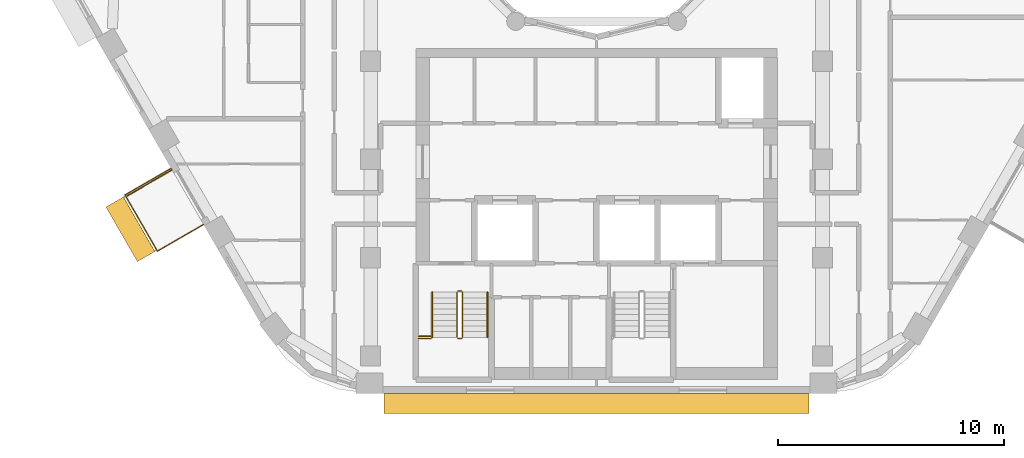
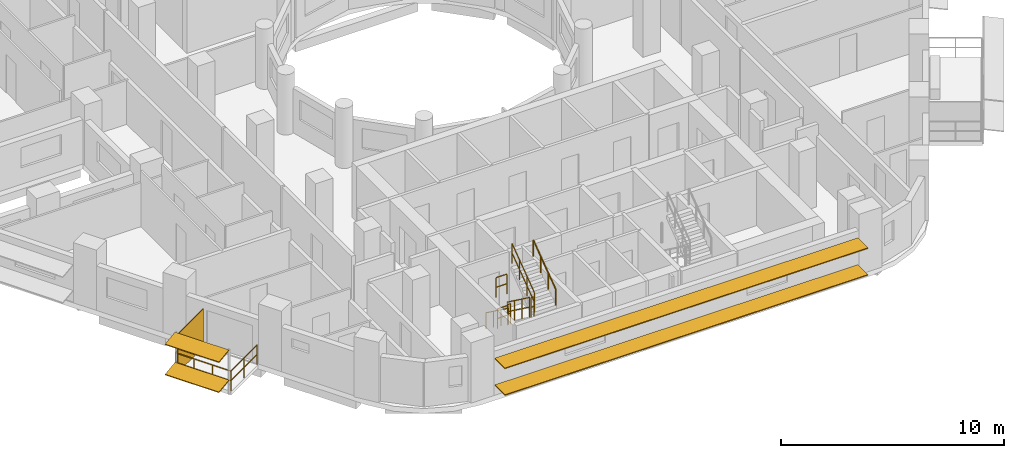
# One storey, part 14 of 17: 9 railings, 5 shading devices.
"""IFC4 building model written with IfcOpenShell, lengths in metres."""

from ifc_helpers import new_model, si_unit, direction, frame, origin, origin_2d, place, context, subcontext, project, spatial, rectangle, circle, extrude, material, layer, layer_set, material_profile, profile_set, type_object, element, save


model = new_model("IFC4")

# Units and contexts
model_context = context("Model", 3, precision=1e-05, world=origin(), true_north=direction((0.0, 1.0)))
body_context = subcontext(model_context, "Body", "Model", "MODEL_VIEW")
ifc_project = project(units=[si_unit("LENGTHUNIT", "METRE"), si_unit("AREAUNIT", "SQUARE_METRE"), si_unit("VOLUMEUNIT", "CUBIC_METRE"), si_unit("PLANEANGLEUNIT", "RADIAN"), si_unit("MASSUNIT", "GRAM", prefix="KILO")], contexts=[model_context])

# Site, building, storey
site_placement = place(None, origin())
site = spatial("IfcSite", under=ifc_project, at=site_placement, CompositionType="ELEMENT")
building_placement = place(site_placement, origin())
building = spatial("IfcBuilding", under=site, at=building_placement, Name="Nakaniwa Court", CompositionType="ELEMENT")
storey_placement = place(building_placement, frame((0.0, 0.0, 206.39990234375)))
storey = spatial("IfcBuildingStorey", under=building, at=storey_placement, Name="L54", CompositionType="ELEMENT", Elevation=206.39990234375)

# Railing
ifc_material_1 = material(Name="Black powder-coated steel flat bar balustrade S275", Category="steel")
railing_type_1 = type_object("IfcRailingType", Name="Black metal balcony guard 1100", PredefinedType="GUARDRAIL", material=ifc_material_1)
railing_1_placement = place(storey_placement, frame((61.17529296875, 67.305419921875, -0.0498046875)))
element("IfcRailing", 1, at=railing_1_placement, inside=storey, type_object=railing_type_1, Name="L54 balcony guard 02", PredefinedType="GUARDRAIL", context=body_context, shape_type="SweptSolid", body=[
    extrude(circle(Radius=0.02392578125, at=origin_2d()), frame((0.0, 0.0, 1.076171875), z_axis=(-0.866025363618, -0.50000006957, 0.0), x_axis=(0.50000006957, -0.866025363618, 0.0)), (0.0, 0.0, 1.0), 2.35986328125),
    extrude(circle(Radius=0.02392578125, at=origin_2d()), frame((0.0, 0.0, 0.550048828125), z_axis=(-0.866025363618, -0.50000006957, 0.0), x_axis=(0.50000006957, -0.866025363618, 0.0)), (0.0, 0.0, 1.0), 2.35986328125),
    extrude(circle(Radius=0.02392578125, at=origin_2d()), frame((-2.043701171875, -1.179931640625, 1.076171875), z_axis=(0.499975463599, -0.866039569419, 0.0), x_axis=(0.866039569419, 0.499975463599, 0.0)), (0.0, 0.0, 1.0), 2.867919921875),
    extrude(circle(Radius=0.02392578125, at=origin_2d()), frame((-2.043701171875, -1.179931640625, 0.550048828125), z_axis=(0.499975463599, -0.866039569419, 0.0), x_axis=(0.866039569419, 0.499975463599, 0.0)), (0.0, 0.0, 1.0), 2.867919921875),
    extrude(circle(Radius=0.02392578125, at=origin_2d()), frame((-0.60986328125, -3.66357421875, 1.076171875), z_axis=(0.865980564943, 0.500077655111, 0.0), x_axis=(-0.500077655111, 0.865980564943, 0.0)), (0.0, 0.0, 1.0), 2.35986328125),
    extrude(circle(Radius=0.02392578125, at=origin_2d()), frame((-0.60986328125, -3.66357421875, 0.550048828125), z_axis=(0.865980564943, 0.500077655111, 0.0), x_axis=(-0.500077655111, 0.865980564943, 0.0)), (0.0, 0.0, 1.0), 2.35986328125),
    extrude(circle(Radius=0.02099609375, at=origin_2d()), origin(), (0.0, 0.0, 1.0), 1.052001953125),
    extrude(circle(Radius=0.02099609375, at=origin_2d()), frame((-1.02197265625, -0.58984375, 0.0)), (0.0, 0.0, 1.0), 1.052001953125),
    extrude(circle(Radius=0.02099609375, at=origin_2d()), frame((-2.043701171875, -1.179931640625, 0.0)), (0.0, 0.0, 1.0), 1.052001953125),
    extrude(circle(Radius=0.02099609375, at=origin_2d()), frame((-1.565673828125, -2.0078125, 0.0)), (0.0, 0.0, 1.0), 1.052001953125),
    extrude(circle(Radius=0.02099609375, at=origin_2d()), frame((-1.087890625, -2.835693359375, 0.0)), (0.0, 0.0, 1.0), 1.052001953125),
    extrude(circle(Radius=0.02099609375, at=origin_2d()), frame((-0.60986328125, -3.66357421875, 0.0)), (0.0, 0.0, 1.0), 1.052001953125),
    extrude(circle(Radius=0.02099609375, at=origin_2d()), frame((0.412109375, -3.073486328125, 0.0)), (0.0, 0.0, 1.0), 1.052001953125),
    extrude(circle(Radius=0.02099609375, at=origin_2d()), frame((1.433837890625, -2.4833984375, 0.0)), (0.0, 0.0, 1.0), 1.052001953125),
])

# Shading devices
ifc_material_2 = material(Name="Black powder-coated aluminium slat screen", Category="aluminium")
ifc_layer = layer(ifc_material_2, 0.0400390625)
ifc_layer_set = layer_set([ifc_layer], Name="Black powder-coated aluminium slat screen")
shading_device_type_1 = type_object("IfcShadingDeviceType", Name="Koshi screen black metal", PredefinedType="USERDEFINED", material=ifc_layer_set)
shading_device_placement = place(storey_placement, frame((60.215087890625, 66.65869140625, -0.050048828125), z_axis=(0.0, 0.0, 1.0), x_axis=(0.500016626402, -0.866015804314, 0.0)))
element("IfcShadingDevice", 2, at=shading_device_placement, inside=storey, type_object=shading_device_type_1, Name="L54 balcony SCREEN 02 W", ObjectType="KOSHI SCREEN", PredefinedType="USERDEFINED", context=body_context, shape_type="SweptSolid", body=[
    extrude(rectangle(XDim=0.0400390625, YDim=2.31005859375, at=origin_2d()), origin(), (0.0, 0.0, 1.0), 2.10009765625),
])
ifc_material_3 = material(Name="Perforated charcoal ceramic louvre blade")
ifc_material_profile = material_profile(ifc_material_3, rectangle(XDim=0.89990234375, YDim=0.050048828125, at=origin_2d()), Name="Perforated ceramic louvre blade")
ifc_profile_set = profile_set([ifc_material_profile], Name="Perforated charcoal ceramic louvre blade")
shading_device_type_2 = type_object("IfcShadingDeviceType", Name="Perforated ceramic louvre blade", PredefinedType="JALOUSIE", material=ifc_profile_set)
for number, where, z_axis, x_axis, name in (
    (3, (58.67578125, 65.81591796875, 0.5), (0.500010545262, -0.866019315389, 0.0), (0.858610400093, 0.495732885733, 0.13052619222), "L54 perforated ceramic louvre blade 02 1"),
    (4, (58.67578125, 65.81591796875, 2.150146484375), (0.500010545262, -0.866019315389, 0.0), (0.858610400093, 0.495732885733, 0.13052619222), "L54 perforated ceramic louvre blade 02 2"),
):
    element("IfcShadingDevice", number, at=place(storey_placement, frame(where, z_axis=z_axis, x_axis=x_axis)), inside=storey, type_object=shading_device_type_2, Name=name, PredefinedType="JALOUSIE", context=body_context, shape_type="SweptSolid", body=[
        extrude(rectangle(XDim=0.89990234375, YDim=0.050048828125, at=origin_2d()), origin(), (0.0, 0.0, 1.0), 2.78759765625),
    ])
for number, where, z_axis, x_axis, name in (
    (5, (70.6005859375, 56.89990234375, 0.550048828125), (1.0, 0.0, 0.0), (0.0, 1.0, 0.0), "L54 perforated ceramic louvre blade w26 1"),
    (6, (70.6005859375, 56.89990234375, 2.01513671875), (1.0, 0.0, 0.0), (0.0, 1.0, 0.0), "L54 perforated ceramic louvre blade w26 2"),
):
    element("IfcShadingDevice", number, at=place(storey_placement, frame(where, z_axis=z_axis, x_axis=x_axis)), inside=storey, type_object=shading_device_type_2, Name=name, PredefinedType="JALOUSIE", context=body_context, shape_type="SweptSolid", body=[
        extrude(rectangle(XDim=0.89990234375, YDim=0.050048828125, at=origin_2d()), origin(), (0.0, 0.0, 1.0), 18.79296875),
    ])

# Railings
ifc_material_4 = material(Name="Black powder coated steel guard", Category="steel")
railing_type_2 = type_object("IfcRailingType", Name="Stair guard 1100", PredefinedType="GUARDRAIL", material=ifc_material_4)
railing_2_placement = place(storey_placement, frame((73.824951171875, 61.824951171875, 0.183349609375)))
element("IfcRailing", 7, at=railing_2_placement, inside=storey, type_object=railing_type_2, Name="L54 ST3 stair guard 1", PredefinedType="GUARDRAIL", context=body_context, shape_type="SweptSolid", body=[
    extrude(circle(Radius=0.02392578125, at=origin_2d()), frame((0.0, 0.0, 1.076171875), z_axis=(0.0, -0.806379959628, 0.591397802423), x_axis=(1.0, 0.0, 0.0)), (0.0, 0.0, 1.0), 2.480224609375),
    extrude(circle(Radius=0.02392578125, at=origin_2d()), frame((0.0, 0.0, 0.550048828125), z_axis=(0.0, -0.806379959628, 0.591397802423), x_axis=(1.0, 0.0, 0.0)), (0.0, 0.0, 1.0), 2.480224609375),
    extrude(circle(Radius=0.02099609375, at=origin_2d()), origin(), (0.0, 0.0, 1.0), 1.052001953125),
    extrude(circle(Radius=0.02099609375, at=origin_2d()), frame((0.0, -0.666748046875, 0.489013671875)), (0.0, 0.0, 1.0), 1.052001953125),
    extrude(circle(Radius=0.02099609375, at=origin_2d()), frame((0.0, -1.333251953125, 0.977783203125)), (0.0, 0.0, 1.0), 1.052001953125),
    extrude(circle(Radius=0.02099609375, at=origin_2d()), frame((0.0, -2.0, 1.466796875)), (0.0, 0.0, 1.0), 1.052001953125),
])
railing_3_placement = place(storey_placement, frame((73.875, 59.77490234375, 1.650146484375)))
element("IfcRailing", 8, at=railing_3_placement, inside=storey, type_object=railing_type_2, Name="L54 ST3 stair guard 2", PredefinedType="GUARDRAIL", context=body_context, shape_type="SweptSolid", body=[
    extrude(circle(Radius=0.02392578125, at=origin_2d()), frame((0.0, 0.0, 1.076171875), z_axis=(1.0, 0.0, 0.0), x_axis=(0.0, 1.0, 0.0)), (0.0, 0.0, 1.0), 0.14990234375),
    extrude(circle(Radius=0.02392578125, at=origin_2d()), frame((0.0, 0.0, 0.550048828125), z_axis=(1.0, 0.0, 0.0), x_axis=(0.0, 1.0, 0.0)), (0.0, 0.0, 1.0), 0.14990234375),
    extrude(circle(Radius=0.02099609375, at=origin_2d()), origin(), (0.0, 0.0, 1.0), 1.052001953125),
    extrude(circle(Radius=0.02099609375, at=origin_2d()), frame((0.14990234375, 0.0, 0.0)), (0.0, 0.0, 1.0), 1.052001953125),
])
railing_4_placement = place(storey_placement, frame((74.074951171875, 59.824951171875, 1.83349609375)))
element("IfcRailing", 9, at=railing_4_placement, inside=storey, type_object=railing_type_2, Name="L54 ST3 stair guard 3", PredefinedType="GUARDRAIL", context=body_context, shape_type="SweptSolid", body=[
    extrude(circle(Radius=0.02392578125, at=origin_2d()), frame((0.0, 0.0, 1.076171875), z_axis=(0.0, 0.806426902644, 0.591333789573), x_axis=(-1.0, 0.0, 0.0)), (0.0, 0.0, 1.0), 2.47998046875),
    extrude(circle(Radius=0.02392578125, at=origin_2d()), frame((0.0, 0.0, 0.550048828125), z_axis=(0.0, 0.806426902644, 0.591333789573), x_axis=(-1.0, 0.0, 0.0)), (0.0, 0.0, 1.0), 2.47998046875),
    extrude(circle(Radius=0.02099609375, at=origin_2d()), origin(), (0.0, 0.0, 1.0), 1.052001953125),
    extrude(circle(Radius=0.02099609375, at=origin_2d()), frame((0.0, 0.666748046875, 0.48876953125)), (0.0, 0.0, 1.0), 1.052001953125),
    extrude(circle(Radius=0.02099609375, at=origin_2d()), frame((0.0, 1.333251953125, 0.977783203125)), (0.0, 0.0, 1.0), 1.052001953125),
    extrude(circle(Radius=0.02099609375, at=origin_2d()), frame((0.0, 2.0, 1.466552734375)), (0.0, 0.0, 1.0), 1.052001953125),
])
railing_5_placement = place(storey_placement, frame((73.875, 61.875, 0.0)))
element("IfcRailing", 10, at=railing_5_placement, inside=storey, type_object=railing_type_2, Name="L54 ST3 stair guard 4", PredefinedType="GUARDRAIL", context=body_context, shape_type="SweptSolid", body=[
    extrude(circle(Radius=0.02392578125, at=origin_2d()), frame((0.0, 0.0, 1.076171875), z_axis=(1.0, 0.0, 0.0), x_axis=(0.0, 1.0, 0.0)), (0.0, 0.0, 1.0), 0.14990234375),
    extrude(circle(Radius=0.02392578125, at=origin_2d()), frame((0.0, 0.0, 0.550048828125), z_axis=(1.0, 0.0, 0.0), x_axis=(0.0, 1.0, 0.0)), (0.0, 0.0, 1.0), 0.14990234375),
    extrude(circle(Radius=0.02099609375, at=origin_2d()), origin(), (0.0, 0.0, 1.0), 1.052001953125),
    extrude(circle(Radius=0.02099609375, at=origin_2d()), frame((0.14990234375, 0.0, 0.0)), (0.0, 0.0, 1.0), 1.052001953125),
])
for number, where, name in (
    (11, (72.125, 59.77490234375, 1.650146484375), "L54 ST3 landing side guard 1W"),
    (12, (72.125, 59.875, 3.300048828125), "L54 ST3 floor edge guard 1W"),
):
    element("IfcRailing", number, at=place(storey_placement, frame(where)), inside=storey, type_object=railing_type_2, Name=name, PredefinedType="GUARDRAIL", context=body_context, shape_type="SweptSolid", body=[
        extrude(circle(Radius=0.02392578125, at=origin_2d()), frame((0.0, 0.0, 1.076171875), z_axis=(1.0, 0.0, 0.0), x_axis=(0.0, 1.0, 0.0)), (0.0, 0.0, 1.0), 0.550048828125),
        extrude(circle(Radius=0.02392578125, at=origin_2d()), frame((0.0, 0.0, 0.550048828125), z_axis=(1.0, 0.0, 0.0), x_axis=(0.0, 1.0, 0.0)), (0.0, 0.0, 1.0), 0.550048828125),
        extrude(circle(Radius=0.02099609375, at=origin_2d()), origin(), (0.0, 0.0, 1.0), 1.052001953125),
        extrude(circle(Radius=0.02099609375, at=origin_2d()), frame((0.550048828125, 0.0, 0.0)), (0.0, 0.0, 1.0), 1.052001953125),
    ])
ifc_material_5 = material(Name="Black powder coated steel handrail", Category="steel")
railing_type_3 = type_object("IfcRailingType", Name="Stair handrail 900", PredefinedType="HANDRAIL", material=ifc_material_5)
railing_6_placement = place(storey_placement, frame((72.72509765625, 61.824951171875, 0.183349609375)))
element("IfcRailing", 13, at=railing_6_placement, inside=storey, type_object=railing_type_3, Name="L54 ST3 stair handrail 1", PredefinedType="HANDRAIL", context=body_context, shape_type="SweptSolid", body=[
    extrude(circle(Radius=0.02392578125, at=origin_2d()), frame((0.0, 0.0, 0.8759765625), z_axis=(0.0, -0.806379959628, 0.591397802423), x_axis=(1.0, 0.0, 0.0)), (0.0, 0.0, 1.0), 2.480224609375),
    extrude(circle(Radius=0.02099609375, at=origin_2d()), origin(), (0.0, 0.0, 1.0), 0.851806640625),
    extrude(circle(Radius=0.02099609375, at=origin_2d()), frame((0.0, -0.666748046875, 0.489013671875)), (0.0, 0.0, 1.0), 0.851806640625),
    extrude(circle(Radius=0.02099609375, at=origin_2d()), frame((0.0, -1.333251953125, 0.977783203125)), (0.0, 0.0, 1.0), 0.851806640625),
    extrude(circle(Radius=0.02099609375, at=origin_2d()), frame((0.0, -2.0, 1.466796875)), (0.0, 0.0, 1.0), 0.851806640625),
])
railing_7_placement = place(storey_placement, frame((75.175048828125, 59.824951171875, 1.83349609375)))
element("IfcRailing", 14, at=railing_7_placement, inside=storey, type_object=railing_type_3, Name="L54 ST3 stair handrail 2", PredefinedType="HANDRAIL", context=body_context, shape_type="SweptSolid", body=[
    extrude(circle(Radius=0.02392578125, at=origin_2d()), frame((0.0, 0.0, 0.8759765625), z_axis=(0.0, 0.806426902644, 0.591333789573), x_axis=(-1.0, 0.0, 0.0)), (0.0, 0.0, 1.0), 2.47998046875),
    extrude(circle(Radius=0.02099609375, at=origin_2d()), origin(), (0.0, 0.0, 1.0), 0.851806640625),
    extrude(circle(Radius=0.02099609375, at=origin_2d()), frame((0.0, 0.666748046875, 0.48876953125)), (0.0, 0.0, 1.0), 0.851806640625),
    extrude(circle(Radius=0.02099609375, at=origin_2d()), frame((0.0, 1.333251953125, 0.977783203125)), (0.0, 0.0, 1.0), 0.851806640625),
    extrude(circle(Radius=0.02099609375, at=origin_2d()), frame((0.0, 2.0, 1.466552734375)), (0.0, 0.0, 1.0), 0.851806640625),
])

save(model, "model.ifc")
